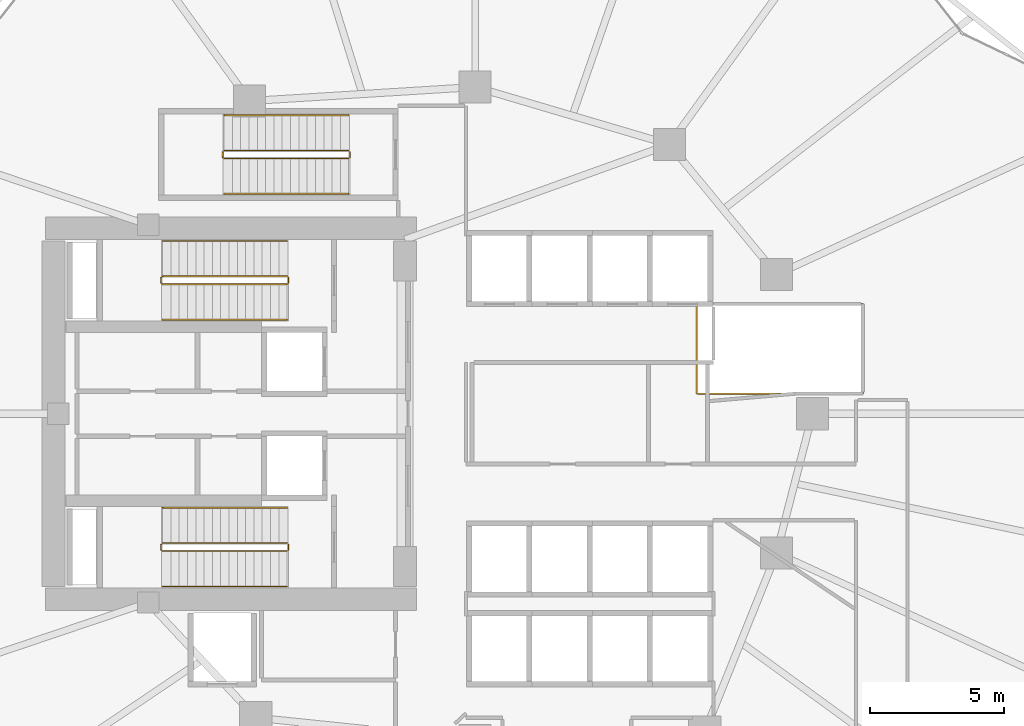
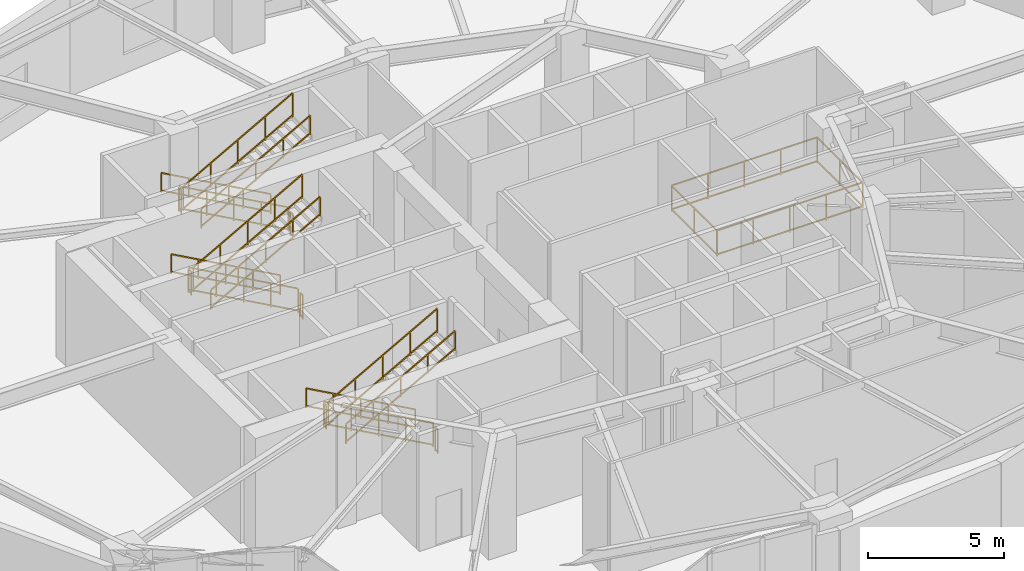
# One storey, part 28 of 29: 19 railings.
"""IFC4 building model written with IfcOpenShell, lengths in metres."""

from ifc_helpers import new_model, si_unit, direction, frame, origin, origin_2d, place, context, subcontext, project, spatial, rectangle, extrude, material, type_object, element, save


model = new_model("IFC4")

# Units and contexts
model_context = context("Model", 3, precision=1e-05, world=origin(), true_north=direction((0.0, 1.0)))
body_context = subcontext(model_context, "Body", "Model", "MODEL_VIEW")
ifc_project = project(units=[si_unit("LENGTHUNIT", "METRE"), si_unit("AREAUNIT", "SQUARE_METRE"), si_unit("VOLUMEUNIT", "CUBIC_METRE"), si_unit("PLANEANGLEUNIT", "RADIAN"), si_unit("MASSUNIT", "GRAM", prefix="KILO")], contexts=[model_context])

# Site, building, storey
site_placement = place(None, origin())
site = spatial("IfcSite", under=ifc_project, at=site_placement, CompositionType="ELEMENT")
building_placement = place(site_placement, origin())
building = spatial("IfcBuilding", under=site, at=building_placement, Name="Kolvaren Gate Tower and Convention Centre", CompositionType="ELEMENT")
storey_placement = place(building_placement, frame((0.0, 0.0, 21.0)))
storey = spatial("IfcBuildingStorey", under=building, at=storey_placement, Name="L04", CompositionType="ELEMENT", Elevation=21.0)

# Railings
ifc_material_1 = material(Name="Laminated Tempered Safety Glass Balustrade 21.5 mm", Category="glass")
railing_type_1 = type_object("IfcRailingType", Name="ARCH-RL-BALUST-1180", PredefinedType="BALUSTRADE", material=ifc_material_1)
railing_1_placement = place(storey_placement, frame((38.39990234375, 27.75, 0.0)))
element("IfcRailing", 1, at=railing_1_placement, inside=storey, type_object=railing_type_1, Name="Tower L04 Atrium Void Safety Balustrade", PredefinedType="BALUSTRADE", context=body_context, shape_type="SweptSolid", body=[
    extrude(rectangle(XDim=0.048095703125, YDim=0.048095703125, at=origin_2d()), frame((0.028076171875, 0.0, 1.15576171875), z_axis=(1.0, 0.0, 0.0), x_axis=(0.0, 1.0, 0.0)), (0.0, 0.0, 1.0), 6.14404296875),
    extrude(rectangle(XDim=0.048095703125, YDim=0.048095703125, at=origin_2d()), frame((0.028076171875, 0.0, 0.083984375), z_axis=(1.0, 0.0, 0.0), x_axis=(0.0, 1.0, 0.0)), (0.0, 0.0, 1.0), 6.14404296875),
    extrude(rectangle(XDim=0.048095703125, YDim=0.048095703125, at=origin_2d()), frame((6.2001953125, 0.028076171875, 1.15576171875), z_axis=(0.0, 1.0, 0.0), x_axis=(-1.0, 0.0, 0.0)), (0.0, 0.0, 1.0), 3.2939453125),
    extrude(rectangle(XDim=0.048095703125, YDim=0.048095703125, at=origin_2d()), frame((6.2001953125, 0.028076171875, 0.083984375), z_axis=(0.0, 1.0, 0.0), x_axis=(-1.0, 0.0, 0.0)), (0.0, 0.0, 1.0), 3.2939453125),
    extrude(rectangle(XDim=0.048095703125, YDim=0.048095703125, at=origin_2d()), frame((6.172119140625, 3.35009765625, 1.15576171875), z_axis=(-1.0, 0.0, 0.0), x_axis=(0.0, -1.0, 0.0)), (0.0, 0.0, 1.0), 6.14404296875),
    extrude(rectangle(XDim=0.048095703125, YDim=0.048095703125, at=origin_2d()), frame((6.172119140625, 3.35009765625, 0.083984375), z_axis=(-1.0, 0.0, 0.0), x_axis=(0.0, -1.0, 0.0)), (0.0, 0.0, 1.0), 6.14404296875),
    extrude(rectangle(XDim=0.048095703125, YDim=0.048095703125, at=origin_2d()), frame((0.0, 3.322021484375, 1.15576171875), z_axis=(0.0, -1.0, 0.0), x_axis=(1.0, 0.0, 0.0)), (0.0, 0.0, 1.0), 3.2939453125),
    extrude(rectangle(XDim=0.048095703125, YDim=0.048095703125, at=origin_2d()), frame((0.0, 3.322021484375, 0.083984375), z_axis=(0.0, -1.0, 0.0), x_axis=(1.0, 0.0, 0.0)), (0.0, 0.0, 1.0), 3.2939453125),
    extrude(rectangle(XDim=0.0419921875, YDim=0.0419921875, at=origin_2d()), origin(), (0.0, 0.0, 1.0), 1.179931640625),
    extrude(rectangle(XDim=0.0419921875, YDim=0.0419921875, at=origin_2d()), frame((6.2001953125, 0.0, 0.0)), (0.0, 0.0, 1.0), 1.179931640625),
    extrude(rectangle(XDim=0.0419921875, YDim=0.0419921875, at=origin_2d()), frame((1.550048828125, 0.0, 0.0)), (0.0, 0.0, 1.0), 1.1298828125),
    extrude(rectangle(XDim=0.0419921875, YDim=0.0419921875, at=origin_2d()), frame((3.10009765625, 0.0, 0.0)), (0.0, 0.0, 1.0), 1.1298828125),
    extrude(rectangle(XDim=0.0419921875, YDim=0.0419921875, at=origin_2d()), frame((4.650146484375, 0.0, 0.0)), (0.0, 0.0, 1.0), 1.1298828125),
    extrude(rectangle(XDim=0.0419921875, YDim=0.0419921875, at=origin_2d()), frame((6.2001953125, 3.35009765625, 0.0)), (0.0, 0.0, 1.0), 1.179931640625),
    extrude(rectangle(XDim=0.0419921875, YDim=0.0419921875, at=origin_2d()), frame((6.2001953125, 1.675048828125, 0.0)), (0.0, 0.0, 1.0), 1.1298828125),
    extrude(rectangle(XDim=0.0419921875, YDim=0.0419921875, at=origin_2d()), frame((0.0, 3.35009765625, 0.0)), (0.0, 0.0, 1.0), 1.179931640625),
    extrude(rectangle(XDim=0.0419921875, YDim=0.0419921875, at=origin_2d()), frame((4.650146484375, 3.35009765625, 0.0)), (0.0, 0.0, 1.0), 1.1298828125),
    extrude(rectangle(XDim=0.0419921875, YDim=0.0419921875, at=origin_2d()), frame((3.10009765625, 3.35009765625, 0.0)), (0.0, 0.0, 1.0), 1.1298828125),
    extrude(rectangle(XDim=0.0419921875, YDim=0.0419921875, at=origin_2d()), frame((1.550048828125, 3.35009765625, 0.0)), (0.0, 0.0, 1.0), 1.1298828125),
    extrude(rectangle(XDim=0.0419921875, YDim=0.0419921875, at=origin_2d()), frame((0.0, 1.675048828125, 0.0)), (0.0, 0.0, 1.0), 1.1298828125),
])
ifc_material_2 = material(Name="Brushed Stainless Steel Grade 316L", Category="steel")
railing_type_2 = type_object("IfcRailingType", Name="ARCH-RL-GUARD-1150", PredefinedType="GUARDRAIL", material=ifc_material_2)
railing_2_placement = place(storey_placement, frame((23.10009765625, 32.1298828125, 0.171875)))
element("IfcRailing", 2, at=railing_2_placement, inside=storey, type_object=railing_type_2, Name="L04 ST-T1 stair guard 1", PredefinedType="GUARDRAIL", context=body_context, shape_type="SweptSolid", body=[
    extrude(rectangle(XDim=0.048095703125, YDim=0.048095703125, at=origin_2d()), frame((0.0, 0.0, 1.076171875), z_axis=(-0.874579294441, 0.0, 0.48488251952), x_axis=(0.0, -1.0, 0.0)), (0.0, 0.0, 1.0), 5.31689453125),
    extrude(rectangle(XDim=0.048095703125, YDim=0.048095703125, at=origin_2d()), frame((0.0, 0.0, 0.083984375), z_axis=(-0.874579294441, 0.0, 0.48488251952), x_axis=(0.0, -1.0, 0.0)), (0.0, 0.0, 1.0), 5.31689453125),
    extrude(rectangle(XDim=0.0419921875, YDim=0.0419921875, at=origin_2d()), origin(), (0.0, 0.0, 1.0), 1.050048828125),
    extrude(rectangle(XDim=0.0419921875, YDim=0.0419921875, at=origin_2d()), frame((-4.650146484375, 0.0, 2.578125)), (0.0, 0.0, 1.0), 1.050048828125),
    extrude(rectangle(XDim=0.0419921875, YDim=0.0419921875, at=origin_2d()), frame((-1.16259765625, 0.0, 0.64453125)), (0.0, 0.0, 1.0), 1.050048828125),
    extrude(rectangle(XDim=0.0419921875, YDim=0.0419921875, at=origin_2d()), frame((-2.3251953125, 0.0, 1.2890625)), (0.0, 0.0, 1.0), 1.050048828125),
    extrude(rectangle(XDim=0.0419921875, YDim=0.0419921875, at=origin_2d()), frame((-3.487548828125, 0.0, 1.93359375)), (0.0, 0.0, 1.0), 1.050048828125),
])
railing_3_placement = place(storey_placement, frame((18.39990234375, 32.080078125, 2.75)))
element("IfcRailing", 3, at=railing_3_placement, inside=storey, type_object=railing_type_2, Name="L04 ST-T1 stair guard 2", PredefinedType="GUARDRAIL", context=body_context, shape_type="SweptSolid", body=[
    extrude(rectangle(XDim=0.048095703125, YDim=0.048095703125, at=origin_2d()), frame((0.0, 0.0, 1.076171875), z_axis=(0.0, -1.0, 0.0), x_axis=(1.0, 0.0, 0.0)), (0.0, 0.0, 1.0), 0.2001953125),
    extrude(rectangle(XDim=0.048095703125, YDim=0.048095703125, at=origin_2d()), frame((0.0, 0.0, 0.083984375), z_axis=(0.0, -1.0, 0.0), x_axis=(1.0, 0.0, 0.0)), (0.0, 0.0, 1.0), 0.2001953125),
    extrude(rectangle(XDim=0.0419921875, YDim=0.0419921875, at=origin_2d()), origin(), (0.0, 0.0, 1.0), 1.050048828125),
    extrude(rectangle(XDim=0.0419921875, YDim=0.0419921875, at=origin_2d()), frame((0.0, -0.2001953125, 0.0)), (0.0, 0.0, 1.0), 1.050048828125),
])
railing_4_placement = place(storey_placement, frame((18.449951171875, 31.830078125, 2.921875)))
element("IfcRailing", 4, at=railing_4_placement, inside=storey, type_object=railing_type_2, Name="L04 ST-T1 stair guard 3", PredefinedType="GUARDRAIL", context=body_context, shape_type="SweptSolid", body=[
    extrude(rectangle(XDim=0.048095703125, YDim=0.048095703125, at=origin_2d()), frame((0.0, 0.0, 1.076171875), z_axis=(0.874579294441, 0.0, 0.48488251952), x_axis=(0.0, 1.0, 0.0)), (0.0, 0.0, 1.0), 5.31689453125),
    extrude(rectangle(XDim=0.048095703125, YDim=0.048095703125, at=origin_2d()), frame((0.0, 0.0, 0.083984375), z_axis=(0.874579294441, 0.0, 0.48488251952), x_axis=(0.0, 1.0, 0.0)), (0.0, 0.0, 1.0), 5.31689453125),
    extrude(rectangle(XDim=0.0419921875, YDim=0.0419921875, at=origin_2d()), origin(), (0.0, 0.0, 1.0), 1.050048828125),
    extrude(rectangle(XDim=0.0419921875, YDim=0.0419921875, at=origin_2d()), frame((4.650146484375, 0.0, 2.578125)), (0.0, 0.0, 1.0), 1.050048828125),
    extrude(rectangle(XDim=0.0419921875, YDim=0.0419921875, at=origin_2d()), frame((1.16259765625, 0.0, 0.64453125)), (0.0, 0.0, 1.0), 1.050048828125),
    extrude(rectangle(XDim=0.0419921875, YDim=0.0419921875, at=origin_2d()), frame((2.3251953125, 0.0, 1.2890625)), (0.0, 0.0, 1.0), 1.050048828125),
    extrude(rectangle(XDim=0.0419921875, YDim=0.0419921875, at=origin_2d()), frame((3.487548828125, 0.0, 1.93359375)), (0.0, 0.0, 1.0), 1.050048828125),
])
railing_5_placement = place(storey_placement, frame((23.14990234375, 32.080078125, 0.0)))
element("IfcRailing", 5, at=railing_5_placement, inside=storey, type_object=railing_type_2, Name="L04 ST-T1 stair guard 4", PredefinedType="GUARDRAIL", context=body_context, shape_type="SweptSolid", body=[
    extrude(rectangle(XDim=0.048095703125, YDim=0.048095703125, at=origin_2d()), frame((0.0, 0.0, 1.076171875), z_axis=(0.0, -1.0, 0.0), x_axis=(1.0, 0.0, 0.0)), (0.0, 0.0, 1.0), 0.2001953125),
    extrude(rectangle(XDim=0.048095703125, YDim=0.048095703125, at=origin_2d()), frame((0.0, 0.0, 0.083984375), z_axis=(0.0, -1.0, 0.0), x_axis=(1.0, 0.0, 0.0)), (0.0, 0.0, 1.0), 0.2001953125),
    extrude(rectangle(XDim=0.0419921875, YDim=0.0419921875, at=origin_2d()), origin(), (0.0, 0.0, 1.0), 1.050048828125),
    extrude(rectangle(XDim=0.0419921875, YDim=0.0419921875, at=origin_2d()), frame((0.0, -0.2001953125, 0.0)), (0.0, 0.0, 1.0), 1.050048828125),
])
railing_6_placement = place(storey_placement, frame((23.10009765625, 22.169921875, 0.171875)))
element("IfcRailing", 6, at=railing_6_placement, inside=storey, type_object=railing_type_2, Name="L04 ST-T2 stair guard 1", PredefinedType="GUARDRAIL", context=body_context, shape_type="SweptSolid", body=[
    extrude(rectangle(XDim=0.048095703125, YDim=0.048095703125, at=origin_2d()), frame((0.0, 0.0, 1.076171875), z_axis=(-0.874579294441, 0.0, 0.48488251952), x_axis=(0.0, -1.0, 0.0)), (0.0, 0.0, 1.0), 5.31689453125),
    extrude(rectangle(XDim=0.048095703125, YDim=0.048095703125, at=origin_2d()), frame((0.0, 0.0, 0.083984375), z_axis=(-0.874579294441, 0.0, 0.48488251952), x_axis=(0.0, -1.0, 0.0)), (0.0, 0.0, 1.0), 5.31689453125),
    extrude(rectangle(XDim=0.0419921875, YDim=0.0419921875, at=origin_2d()), origin(), (0.0, 0.0, 1.0), 1.050048828125),
    extrude(rectangle(XDim=0.0419921875, YDim=0.0419921875, at=origin_2d()), frame((-4.650146484375, 0.0, 2.578125)), (0.0, 0.0, 1.0), 1.050048828125),
    extrude(rectangle(XDim=0.0419921875, YDim=0.0419921875, at=origin_2d()), frame((-1.16259765625, 0.0, 0.64453125)), (0.0, 0.0, 1.0), 1.050048828125),
    extrude(rectangle(XDim=0.0419921875, YDim=0.0419921875, at=origin_2d()), frame((-2.3251953125, 0.0, 1.2890625)), (0.0, 0.0, 1.0), 1.050048828125),
    extrude(rectangle(XDim=0.0419921875, YDim=0.0419921875, at=origin_2d()), frame((-3.487548828125, 0.0, 1.93359375)), (0.0, 0.0, 1.0), 1.050048828125),
])
railing_7_placement = place(storey_placement, frame((18.39990234375, 22.1201171875, 2.75)))
element("IfcRailing", 7, at=railing_7_placement, inside=storey, type_object=railing_type_2, Name="L04 ST-T2 stair guard 2", PredefinedType="GUARDRAIL", context=body_context, shape_type="SweptSolid", body=[
    extrude(rectangle(XDim=0.048095703125, YDim=0.048095703125, at=origin_2d()), frame((0.0, 0.0, 1.076171875), z_axis=(0.0, -1.0, 0.0), x_axis=(1.0, 0.0, 0.0)), (0.0, 0.0, 1.0), 0.2001953125),
    extrude(rectangle(XDim=0.048095703125, YDim=0.048095703125, at=origin_2d()), frame((0.0, 0.0, 0.083984375), z_axis=(0.0, -1.0, 0.0), x_axis=(1.0, 0.0, 0.0)), (0.0, 0.0, 1.0), 0.2001953125),
    extrude(rectangle(XDim=0.0419921875, YDim=0.0419921875, at=origin_2d()), origin(), (0.0, 0.0, 1.0), 1.050048828125),
    extrude(rectangle(XDim=0.0419921875, YDim=0.0419921875, at=origin_2d()), frame((0.0, -0.2001953125, 0.0)), (0.0, 0.0, 1.0), 1.050048828125),
])
railing_8_placement = place(storey_placement, frame((18.449951171875, 21.8701171875, 2.921875)))
element("IfcRailing", 8, at=railing_8_placement, inside=storey, type_object=railing_type_2, Name="L04 ST-T2 stair guard 3", PredefinedType="GUARDRAIL", context=body_context, shape_type="SweptSolid", body=[
    extrude(rectangle(XDim=0.048095703125, YDim=0.048095703125, at=origin_2d()), frame((0.0, 0.0, 1.076171875), z_axis=(0.874579294441, 0.0, 0.48488251952), x_axis=(0.0, 1.0, 0.0)), (0.0, 0.0, 1.0), 5.31689453125),
    extrude(rectangle(XDim=0.048095703125, YDim=0.048095703125, at=origin_2d()), frame((0.0, 0.0, 0.083984375), z_axis=(0.874579294441, 0.0, 0.48488251952), x_axis=(0.0, 1.0, 0.0)), (0.0, 0.0, 1.0), 5.31689453125),
    extrude(rectangle(XDim=0.0419921875, YDim=0.0419921875, at=origin_2d()), origin(), (0.0, 0.0, 1.0), 1.050048828125),
    extrude(rectangle(XDim=0.0419921875, YDim=0.0419921875, at=origin_2d()), frame((4.650146484375, 0.0, 2.578125)), (0.0, 0.0, 1.0), 1.050048828125),
    extrude(rectangle(XDim=0.0419921875, YDim=0.0419921875, at=origin_2d()), frame((1.16259765625, 0.0, 0.64453125)), (0.0, 0.0, 1.0), 1.050048828125),
    extrude(rectangle(XDim=0.0419921875, YDim=0.0419921875, at=origin_2d()), frame((2.3251953125, 0.0, 1.2890625)), (0.0, 0.0, 1.0), 1.050048828125),
    extrude(rectangle(XDim=0.0419921875, YDim=0.0419921875, at=origin_2d()), frame((3.487548828125, 0.0, 1.93359375)), (0.0, 0.0, 1.0), 1.050048828125),
])
railing_9_placement = place(storey_placement, frame((23.14990234375, 22.1201171875, 0.0)))
element("IfcRailing", 9, at=railing_9_placement, inside=storey, type_object=railing_type_2, Name="L04 ST-T2 stair guard 4", PredefinedType="GUARDRAIL", context=body_context, shape_type="SweptSolid", body=[
    extrude(rectangle(XDim=0.048095703125, YDim=0.048095703125, at=origin_2d()), frame((0.0, 0.0, 1.076171875), z_axis=(0.0, -1.0, 0.0), x_axis=(1.0, 0.0, 0.0)), (0.0, 0.0, 1.0), 0.2001953125),
    extrude(rectangle(XDim=0.048095703125, YDim=0.048095703125, at=origin_2d()), frame((0.0, 0.0, 0.083984375), z_axis=(0.0, -1.0, 0.0), x_axis=(1.0, 0.0, 0.0)), (0.0, 0.0, 1.0), 0.2001953125),
    extrude(rectangle(XDim=0.0419921875, YDim=0.0419921875, at=origin_2d()), origin(), (0.0, 0.0, 1.0), 1.050048828125),
    extrude(rectangle(XDim=0.0419921875, YDim=0.0419921875, at=origin_2d()), frame((0.0, -0.2001953125, 0.0)), (0.0, 0.0, 1.0), 1.050048828125),
])
railing_10_placement = place(storey_placement, frame((25.39990234375, 36.830078125, 0.171875)))
element("IfcRailing", 10, at=railing_10_placement, inside=storey, type_object=railing_type_2, Name="L04 ST-T3 stair guard 1", PredefinedType="GUARDRAIL", context=body_context, shape_type="SweptSolid", body=[
    extrude(rectangle(XDim=0.048095703125, YDim=0.048095703125, at=origin_2d()), frame((0.0, 0.0, 1.076171875), z_axis=(-0.874568498218, 0.0, 0.484901992081), x_axis=(0.0, -1.0, 0.0)), (0.0, 0.0, 1.0), 5.31689453125),
    extrude(rectangle(XDim=0.048095703125, YDim=0.048095703125, at=origin_2d()), frame((0.0, 0.0, 0.083984375), z_axis=(-0.874568498218, 0.0, 0.484901992081), x_axis=(0.0, -1.0, 0.0)), (0.0, 0.0, 1.0), 5.31689453125),
    extrude(rectangle(XDim=0.0419921875, YDim=0.0419921875, at=origin_2d()), origin(), (0.0, 0.0, 1.0), 1.050048828125),
    extrude(rectangle(XDim=0.0419921875, YDim=0.0419921875, at=origin_2d()), frame((-4.64990234375, 0.0, 2.578125)), (0.0, 0.0, 1.0), 1.050048828125),
    extrude(rectangle(XDim=0.0419921875, YDim=0.0419921875, at=origin_2d()), frame((-1.16259765625, 0.0, 0.64453125)), (0.0, 0.0, 1.0), 1.050048828125),
    extrude(rectangle(XDim=0.0419921875, YDim=0.0419921875, at=origin_2d()), frame((-2.324951171875, 0.0, 1.2890625)), (0.0, 0.0, 1.0), 1.050048828125),
    extrude(rectangle(XDim=0.0419921875, YDim=0.0419921875, at=origin_2d()), frame((-3.4873046875, 0.0, 1.93359375)), (0.0, 0.0, 1.0), 1.050048828125),
])
railing_11_placement = place(storey_placement, frame((20.699951171875, 36.780029296875, 2.75)))
element("IfcRailing", 11, at=railing_11_placement, inside=storey, type_object=railing_type_2, Name="L04 ST-T3 stair guard 2", PredefinedType="GUARDRAIL", context=body_context, shape_type="SweptSolid", body=[
    extrude(rectangle(XDim=0.048095703125, YDim=0.048095703125, at=origin_2d()), frame((0.0, 0.0, 1.076171875), z_axis=(0.0, -1.0, 0.0), x_axis=(1.0, 0.0, 0.0)), (0.0, 0.0, 1.0), 0.199951171875),
    extrude(rectangle(XDim=0.048095703125, YDim=0.048095703125, at=origin_2d()), frame((0.0, 0.0, 0.083984375), z_axis=(0.0, -1.0, 0.0), x_axis=(1.0, 0.0, 0.0)), (0.0, 0.0, 1.0), 0.199951171875),
    extrude(rectangle(XDim=0.0419921875, YDim=0.0419921875, at=origin_2d()), origin(), (0.0, 0.0, 1.0), 1.050048828125),
    extrude(rectangle(XDim=0.0419921875, YDim=0.0419921875, at=origin_2d()), frame((0.0, -0.199951171875, 0.0)), (0.0, 0.0, 1.0), 1.050048828125),
])
railing_12_placement = place(storey_placement, frame((20.75, 36.530029296875, 2.921875)))
element("IfcRailing", 12, at=railing_12_placement, inside=storey, type_object=railing_type_2, Name="L04 ST-T3 stair guard 3", PredefinedType="GUARDRAIL", context=body_context, shape_type="SweptSolid", body=[
    extrude(rectangle(XDim=0.048095703125, YDim=0.048095703125, at=origin_2d()), frame((0.0, 0.0, 1.076171875), z_axis=(0.874568498218, 0.0, 0.484901992081), x_axis=(0.0, 1.0, 0.0)), (0.0, 0.0, 1.0), 5.31689453125),
    extrude(rectangle(XDim=0.048095703125, YDim=0.048095703125, at=origin_2d()), frame((0.0, 0.0, 0.083984375), z_axis=(0.874568498218, 0.0, 0.484901992081), x_axis=(0.0, 1.0, 0.0)), (0.0, 0.0, 1.0), 5.31689453125),
    extrude(rectangle(XDim=0.0419921875, YDim=0.0419921875, at=origin_2d()), origin(), (0.0, 0.0, 1.0), 1.050048828125),
    extrude(rectangle(XDim=0.0419921875, YDim=0.0419921875, at=origin_2d()), frame((4.64990234375, 0.0, 2.578125)), (0.0, 0.0, 1.0), 1.050048828125),
    extrude(rectangle(XDim=0.0419921875, YDim=0.0419921875, at=origin_2d()), frame((1.16259765625, 0.0, 0.64453125)), (0.0, 0.0, 1.0), 1.050048828125),
    extrude(rectangle(XDim=0.0419921875, YDim=0.0419921875, at=origin_2d()), frame((2.324951171875, 0.0, 1.2890625)), (0.0, 0.0, 1.0), 1.050048828125),
    extrude(rectangle(XDim=0.0419921875, YDim=0.0419921875, at=origin_2d()), frame((3.4873046875, 0.0, 1.93359375)), (0.0, 0.0, 1.0), 1.050048828125),
])
railing_13_placement = place(storey_placement, frame((25.449951171875, 36.780029296875, 0.0)))
element("IfcRailing", 13, at=railing_13_placement, inside=storey, type_object=railing_type_2, Name="L04 ST-T3 stair guard 4", PredefinedType="GUARDRAIL", context=body_context, shape_type="SweptSolid", body=[
    extrude(rectangle(XDim=0.048095703125, YDim=0.048095703125, at=origin_2d()), frame((0.0, 0.0, 1.076171875), z_axis=(0.0, -1.0, 0.0), x_axis=(1.0, 0.0, 0.0)), (0.0, 0.0, 1.0), 0.199951171875),
    extrude(rectangle(XDim=0.048095703125, YDim=0.048095703125, at=origin_2d()), frame((0.0, 0.0, 0.083984375), z_axis=(0.0, -1.0, 0.0), x_axis=(1.0, 0.0, 0.0)), (0.0, 0.0, 1.0), 0.199951171875),
    extrude(rectangle(XDim=0.0419921875, YDim=0.0419921875, at=origin_2d()), origin(), (0.0, 0.0, 1.0), 1.050048828125),
    extrude(rectangle(XDim=0.0419921875, YDim=0.0419921875, at=origin_2d()), frame((0.0, -0.199951171875, 0.0)), (0.0, 0.0, 1.0), 1.050048828125),
])
railing_type_3 = type_object("IfcRailingType", Name="ARCH-RL-HANDRAIL-920", PredefinedType="HANDRAIL", material=ifc_material_2)
railing_14_placement = place(storey_placement, frame((23.10009765625, 33.449951171875, 0.171875)))
element("IfcRailing", 14, at=railing_14_placement, inside=storey, type_object=railing_type_3, Name="L04 ST-T1 stair handrail 1", PredefinedType="HANDRAIL", context=body_context, shape_type="SweptSolid", body=[
    extrude(rectangle(XDim=0.048095703125, YDim=0.048095703125, at=origin_2d()), frame((0.0, 0.0, 0.8759765625), z_axis=(-0.874579294441, 0.0, 0.48488251952), x_axis=(0.0, -1.0, 0.0)), (0.0, 0.0, 1.0), 5.31689453125),
    extrude(rectangle(XDim=0.048095703125, YDim=0.048095703125, at=origin_2d()), frame((0.0, 0.0, 0.083984375), z_axis=(-0.874579294441, 0.0, 0.48488251952), x_axis=(0.0, -1.0, 0.0)), (0.0, 0.0, 1.0), 5.31689453125),
    extrude(rectangle(XDim=0.0419921875, YDim=0.0419921875, at=origin_2d()), origin(), (0.0, 0.0, 1.0), 0.849853515625),
    extrude(rectangle(XDim=0.0419921875, YDim=0.0419921875, at=origin_2d()), frame((-4.650146484375, 0.0, 2.578125)), (0.0, 0.0, 1.0), 0.849853515625),
    extrude(rectangle(XDim=0.0419921875, YDim=0.0419921875, at=origin_2d()), frame((-1.16259765625, 0.0, 0.64453125)), (0.0, 0.0, 1.0), 0.849853515625),
    extrude(rectangle(XDim=0.0419921875, YDim=0.0419921875, at=origin_2d()), frame((-2.3251953125, 0.0, 1.2890625)), (0.0, 0.0, 1.0), 0.849853515625),
    extrude(rectangle(XDim=0.0419921875, YDim=0.0419921875, at=origin_2d()), frame((-3.487548828125, 0.0, 1.93359375)), (0.0, 0.0, 1.0), 0.849853515625),
])
railing_15_placement = place(storey_placement, frame((18.449951171875, 30.510009765625, 2.921875)))
element("IfcRailing", 15, at=railing_15_placement, inside=storey, type_object=railing_type_3, Name="L04 ST-T1 stair handrail 2", PredefinedType="HANDRAIL", context=body_context, shape_type="SweptSolid", body=[
    extrude(rectangle(XDim=0.048095703125, YDim=0.048095703125, at=origin_2d()), frame((0.0, 0.0, 0.8759765625), z_axis=(0.874579294441, 0.0, 0.48488251952), x_axis=(0.0, 1.0, 0.0)), (0.0, 0.0, 1.0), 5.31689453125),
    extrude(rectangle(XDim=0.048095703125, YDim=0.048095703125, at=origin_2d()), frame((0.0, 0.0, 0.083984375), z_axis=(0.874579294441, 0.0, 0.48488251952), x_axis=(0.0, 1.0, 0.0)), (0.0, 0.0, 1.0), 5.31689453125),
    extrude(rectangle(XDim=0.0419921875, YDim=0.0419921875, at=origin_2d()), origin(), (0.0, 0.0, 1.0), 0.849853515625),
    extrude(rectangle(XDim=0.0419921875, YDim=0.0419921875, at=origin_2d()), frame((4.650146484375, 0.0, 2.578125)), (0.0, 0.0, 1.0), 0.849853515625),
    extrude(rectangle(XDim=0.0419921875, YDim=0.0419921875, at=origin_2d()), frame((1.16259765625, 0.0, 0.64453125)), (0.0, 0.0, 1.0), 0.849853515625),
    extrude(rectangle(XDim=0.0419921875, YDim=0.0419921875, at=origin_2d()), frame((2.3251953125, 0.0, 1.2890625)), (0.0, 0.0, 1.0), 0.849853515625),
    extrude(rectangle(XDim=0.0419921875, YDim=0.0419921875, at=origin_2d()), frame((3.487548828125, 0.0, 1.93359375)), (0.0, 0.0, 1.0), 0.849853515625),
])
railing_16_placement = place(storey_placement, frame((23.10009765625, 23.489990234375, 0.171875)))
element("IfcRailing", 16, at=railing_16_placement, inside=storey, type_object=railing_type_3, Name="L04 ST-T2 stair handrail 1", PredefinedType="HANDRAIL", context=body_context, shape_type="SweptSolid", body=[
    extrude(rectangle(XDim=0.048095703125, YDim=0.048095703125, at=origin_2d()), frame((0.0, 0.0, 0.8759765625), z_axis=(-0.874579294441, 0.0, 0.48488251952), x_axis=(0.0, -1.0, 0.0)), (0.0, 0.0, 1.0), 5.31689453125),
    extrude(rectangle(XDim=0.048095703125, YDim=0.048095703125, at=origin_2d()), frame((0.0, 0.0, 0.083984375), z_axis=(-0.874579294441, 0.0, 0.48488251952), x_axis=(0.0, -1.0, 0.0)), (0.0, 0.0, 1.0), 5.31689453125),
    extrude(rectangle(XDim=0.0419921875, YDim=0.0419921875, at=origin_2d()), origin(), (0.0, 0.0, 1.0), 0.849853515625),
    extrude(rectangle(XDim=0.0419921875, YDim=0.0419921875, at=origin_2d()), frame((-4.650146484375, 0.0, 2.578125)), (0.0, 0.0, 1.0), 0.849853515625),
    extrude(rectangle(XDim=0.0419921875, YDim=0.0419921875, at=origin_2d()), frame((-1.16259765625, 0.0, 0.64453125)), (0.0, 0.0, 1.0), 0.849853515625),
    extrude(rectangle(XDim=0.0419921875, YDim=0.0419921875, at=origin_2d()), frame((-2.3251953125, 0.0, 1.2890625)), (0.0, 0.0, 1.0), 0.849853515625),
    extrude(rectangle(XDim=0.0419921875, YDim=0.0419921875, at=origin_2d()), frame((-3.487548828125, 0.0, 1.93359375)), (0.0, 0.0, 1.0), 0.849853515625),
])
railing_17_placement = place(storey_placement, frame((18.449951171875, 20.550048828125, 2.921875)))
element("IfcRailing", 17, at=railing_17_placement, inside=storey, type_object=railing_type_3, Name="L04 ST-T2 stair handrail 2", PredefinedType="HANDRAIL", context=body_context, shape_type="SweptSolid", body=[
    extrude(rectangle(XDim=0.048095703125, YDim=0.048095703125, at=origin_2d()), frame((0.0, 0.0, 0.8759765625), z_axis=(0.874579294441, 0.0, 0.48488251952), x_axis=(0.0, 1.0, 0.0)), (0.0, 0.0, 1.0), 5.31689453125),
    extrude(rectangle(XDim=0.048095703125, YDim=0.048095703125, at=origin_2d()), frame((0.0, 0.0, 0.083984375), z_axis=(0.874579294441, 0.0, 0.48488251952), x_axis=(0.0, 1.0, 0.0)), (0.0, 0.0, 1.0), 5.31689453125),
    extrude(rectangle(XDim=0.0419921875, YDim=0.0419921875, at=origin_2d()), origin(), (0.0, 0.0, 1.0), 0.849853515625),
    extrude(rectangle(XDim=0.0419921875, YDim=0.0419921875, at=origin_2d()), frame((4.650146484375, 0.0, 2.578125)), (0.0, 0.0, 1.0), 0.849853515625),
    extrude(rectangle(XDim=0.0419921875, YDim=0.0419921875, at=origin_2d()), frame((1.16259765625, 0.0, 0.64453125)), (0.0, 0.0, 1.0), 0.849853515625),
    extrude(rectangle(XDim=0.0419921875, YDim=0.0419921875, at=origin_2d()), frame((2.3251953125, 0.0, 1.2890625)), (0.0, 0.0, 1.0), 0.849853515625),
    extrude(rectangle(XDim=0.0419921875, YDim=0.0419921875, at=origin_2d()), frame((3.487548828125, 0.0, 1.93359375)), (0.0, 0.0, 1.0), 0.849853515625),
])
railing_18_placement = place(storey_placement, frame((25.39990234375, 38.14990234375, 0.171875)))
element("IfcRailing", 18, at=railing_18_placement, inside=storey, type_object=railing_type_3, Name="L04 ST-T3 stair handrail 1", PredefinedType="HANDRAIL", context=body_context, shape_type="SweptSolid", body=[
    extrude(rectangle(XDim=0.048095703125, YDim=0.048095703125, at=origin_2d()), frame((0.0, 0.0, 0.8759765625), z_axis=(-0.874568498218, 0.0, 0.484901992081), x_axis=(0.0, -1.0, 0.0)), (0.0, 0.0, 1.0), 5.31689453125),
    extrude(rectangle(XDim=0.048095703125, YDim=0.048095703125, at=origin_2d()), frame((0.0, 0.0, 0.083984375), z_axis=(-0.874568498218, 0.0, 0.484901992081), x_axis=(0.0, -1.0, 0.0)), (0.0, 0.0, 1.0), 5.31689453125),
    extrude(rectangle(XDim=0.0419921875, YDim=0.0419921875, at=origin_2d()), origin(), (0.0, 0.0, 1.0), 0.849853515625),
    extrude(rectangle(XDim=0.0419921875, YDim=0.0419921875, at=origin_2d()), frame((-4.64990234375, 0.0, 2.578125)), (0.0, 0.0, 1.0), 0.849853515625),
    extrude(rectangle(XDim=0.0419921875, YDim=0.0419921875, at=origin_2d()), frame((-1.16259765625, 0.0, 0.64453125)), (0.0, 0.0, 1.0), 0.849853515625),
    extrude(rectangle(XDim=0.0419921875, YDim=0.0419921875, at=origin_2d()), frame((-2.324951171875, 0.0, 1.2890625)), (0.0, 0.0, 1.0), 0.849853515625),
    extrude(rectangle(XDim=0.0419921875, YDim=0.0419921875, at=origin_2d()), frame((-3.4873046875, 0.0, 1.93359375)), (0.0, 0.0, 1.0), 0.849853515625),
])
railing_19_placement = place(storey_placement, frame((20.75, 35.2099609375, 2.921875)))
element("IfcRailing", 19, at=railing_19_placement, inside=storey, type_object=railing_type_3, Name="L04 ST-T3 stair handrail 2", PredefinedType="HANDRAIL", context=body_context, shape_type="SweptSolid", body=[
    extrude(rectangle(XDim=0.048095703125, YDim=0.048095703125, at=origin_2d()), frame((0.0, 0.0, 0.8759765625), z_axis=(0.874568498218, 0.0, 0.484901992081), x_axis=(0.0, 1.0, 0.0)), (0.0, 0.0, 1.0), 5.31689453125),
    extrude(rectangle(XDim=0.048095703125, YDim=0.048095703125, at=origin_2d()), frame((0.0, 0.0, 0.083984375), z_axis=(0.874568498218, 0.0, 0.484901992081), x_axis=(0.0, 1.0, 0.0)), (0.0, 0.0, 1.0), 5.31689453125),
    extrude(rectangle(XDim=0.0419921875, YDim=0.0419921875, at=origin_2d()), origin(), (0.0, 0.0, 1.0), 0.849853515625),
    extrude(rectangle(XDim=0.0419921875, YDim=0.0419921875, at=origin_2d()), frame((4.64990234375, 0.0, 2.578125)), (0.0, 0.0, 1.0), 0.849853515625),
    extrude(rectangle(XDim=0.0419921875, YDim=0.0419921875, at=origin_2d()), frame((1.16259765625, 0.0, 0.64453125)), (0.0, 0.0, 1.0), 0.849853515625),
    extrude(rectangle(XDim=0.0419921875, YDim=0.0419921875, at=origin_2d()), frame((2.324951171875, 0.0, 1.2890625)), (0.0, 0.0, 1.0), 0.849853515625),
    extrude(rectangle(XDim=0.0419921875, YDim=0.0419921875, at=origin_2d()), frame((3.4873046875, 0.0, 1.93359375)), (0.0, 0.0, 1.0), 0.849853515625),
])

save(model, "model.ifc")
